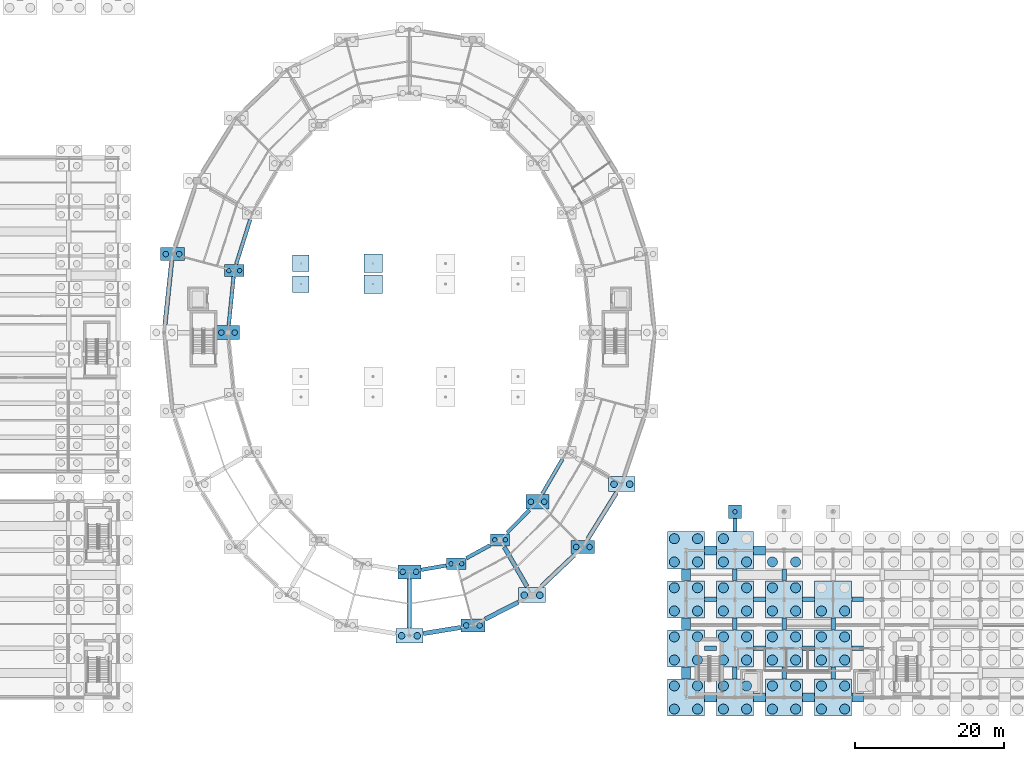
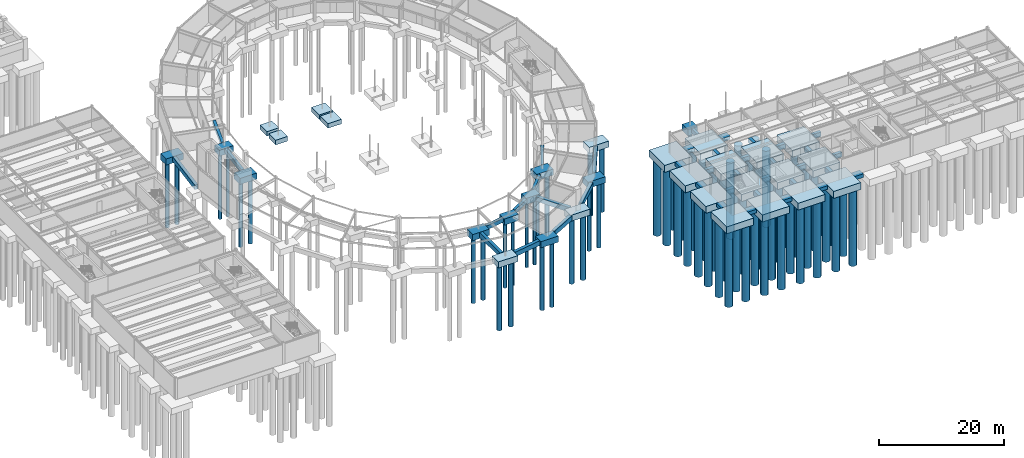
# One storey, part 3 of 58: 80 piles, 70 footings.
"""IFC4 building model written with IfcOpenShell, lengths in metres."""

import ifcopenshell
import ifcopenshell.guid

model = None  # the IFC model being written
_history = None  # IfcOwnerHistory: only IFC2X3 demands one
_inside = {}  # id of a spatial element -> (the spatial element, [elements in it])
_under = {}  # id of a project, library or spatial element -> (it, [spatial elements below it])
_declared = {}  # id of a project -> (the project, [libraries it declares])
_typed = {}  # id of a type object -> (the type object, [elements of that type])
_made_of = {}  # id of a material, layer set ... -> (it, [elements and type objects made of it])


def new_model(schema):
    """Start an empty IFC model of exactly this schema.

    Asked for "IFC4X3", IfcOpenShell would pick the latest addendum, in which some entities
    have other attributes; the version numbers below select the first issue.
    IFC2X3 requires an IfcOwnerHistory on every rooted entity: one is made here for all.
    """
    global model, _history
    if schema == "IFC4X3":
        model = ifcopenshell.file(schema_version=(4, 3, 0, 0))
    else:
        model = ifcopenshell.file(schema=schema)
    _inside.clear()
    _under.clear()
    _declared.clear()
    _typed.clear()
    _made_of.clear()
    _history = None
    if model.schema == "IFC2X3":
        org = make("IfcOrganization", Name="unknown")
        user = make(
            "IfcPersonAndOrganization",
            ThePerson=make("IfcPerson", FamilyName="unknown"),
            TheOrganization=org,
        )
        app = make(
            "IfcApplication",
            ApplicationDeveloper=org,
            Version="unknown",
            ApplicationFullName="unknown",
            ApplicationIdentifier="unknown",
        )
        _history = make(
            "IfcOwnerHistory",
            OwningUser=user,
            OwningApplication=app,
            ChangeAction="ADDED",
            CreationDate=0,
        )
    return model


def make(cls, **values):
    """One entity of the class cls with the attributes given. An attribute that is None is left unset."""
    return model.create_entity(
        cls, **{name: value for name, value in values.items() if value is not None}
    )


def rooted(cls, **values):
    """An entity with a GlobalId (a new one), such as an element, a storey or a relation."""
    return make(cls, GlobalId=ifcopenshell.guid.new(), OwnerHistory=_history, **values)


def si_unit(unit_type, name, prefix=None):
    """IfcSIUnit, for example si_unit("LENGTHUNIT", "METRE", prefix="MILLI")."""
    return make("IfcSIUnit", UnitType=unit_type, Prefix=prefix, Name=name)


def assignment(units):
    """IfcUnitAssignment: the units of a project."""
    return None if units is None else make("IfcUnitAssignment", Units=units)


def point(xyz):
    """IfcCartesianPoint."""
    return None if xyz is None else make("IfcCartesianPoint", Coordinates=xyz)


def direction(xyz):
    """IfcDirection."""
    return None if xyz is None else make("IfcDirection", DirectionRatios=xyz)


def frame(location, z_axis=None, x_axis=None):
    """IfcAxis2Placement3D, a coordinate frame: its origin and axes. An axis left out is left unset."""
    return make(
        "IfcAxis2Placement3D",
        Location=point(location),
        Axis=direction(z_axis),
        RefDirection=direction(x_axis),
    )


def frame_2d(location, x_axis=None):
    """IfcAxis2Placement2D, a coordinate frame in the plane: its origin and x axis."""
    return make(
        "IfcAxis2Placement2D", Location=point(location), RefDirection=direction(x_axis)
    )


def origin():
    """The frame at (0, 0, 0) with its axes left unset."""
    return frame((0.0, 0.0, 0.0))


def origin_2d():
    """The frame at (0, 0) in the plane with its x axis left unset."""
    return frame_2d((0.0, 0.0))


def place(relative_to, where):
    """IfcLocalPlacement: puts the frame where relative to a parent placement (None: the world)."""
    return make(
        "IfcLocalPlacement", PlacementRelTo=relative_to, RelativePlacement=where
    )


def context(
    kind, dimensions, precision=None, world=None, true_north=None, identifier=None
):
    """IfcGeometricRepresentationContext, for example the 3D "Model" context."""
    return make(
        "IfcGeometricRepresentationContext",
        ContextIdentifier=identifier,
        ContextType=kind,
        CoordinateSpaceDimension=dimensions,
        Precision=precision,
        WorldCoordinateSystem=world,
        TrueNorth=true_north,
    )


def subcontext(parent, identifier, kind, view, scale=None):
    """IfcGeometricRepresentationSubContext, for example "Body" below "Model"."""
    return make(
        "IfcGeometricRepresentationSubContext",
        ContextIdentifier=identifier,
        ContextType=kind,
        ParentContext=parent,
        TargetScale=scale,
        TargetView=view,
    )


def project(units=None, contexts=None):
    """IfcProject with its units and contexts."""
    return rooted(
        "IfcProject",
        Name="project",
        RepresentationContexts=contexts,
        UnitsInContext=assignment(units),
    )


def spatial(cls, under=None, at=None, **own):
    """A site, building, storey or space (cls), placed at a placement, below another one or the project."""
    s = rooted(cls, ObjectPlacement=at, **own)
    if under is not None:
        _under.setdefault(under.id(), (under, []))[1].append(s)
    return s


def profile(cls, at=None, kind="AREA", **sizes):
    """A parametric profile (cls). Its sizes go by their IFC names, for example OverallWidth=200.0."""
    return make(cls, ProfileType=kind, Position=at, **sizes)


def rectangle(**sizes):
    """IfcRectangleProfileDef."""
    return profile("IfcRectangleProfileDef", **sizes)


def circle(**sizes):
    """IfcCircleProfileDef."""
    return profile("IfcCircleProfileDef", **sizes)


def extrude(swept, where, along, depth):
    """IfcExtrudedAreaSolid: the profile swept, set in the frame where, extruded along a direction by depth."""
    return make(
        "IfcExtrudedAreaSolid",
        SweptArea=swept,
        Position=where,
        ExtrudedDirection=direction(along),
        Depth=depth,
    )


def shape(context_of_items, identifier, shape_type, items):
    """IfcShapeRepresentation: the items that make up one representation, for example the "Body"."""
    return make(
        "IfcShapeRepresentation",
        ContextOfItems=context_of_items,
        RepresentationIdentifier=identifier,
        RepresentationType=shape_type,
        Items=items,
    )


def material(Name=None, Category=None):
    """IfcMaterial."""
    return make("IfcMaterial", Name=Name, Category=Category)


def material_profile(
    of_material, cross_section, Name=None, Category=None, Priority=None
):
    """IfcMaterialProfile: a cross section and its material."""
    return make(
        "IfcMaterialProfile",
        Name=Name,
        Material=of_material,
        Profile=cross_section,
        Priority=Priority,
        Category=Category,
    )


def profile_set(profiles, Name=None, composite=None):
    """IfcMaterialProfileSet."""
    return make(
        "IfcMaterialProfileSet",
        Name=Name,
        MaterialProfiles=profiles,
        CompositeProfile=composite,
    )


def made_of(thing, what):
    """Note that an element or type object is made of a material, layer set ...; save() writes the relation."""
    if what is not None:
        _made_of.setdefault(what.id(), (what, []))[1].append(thing)
    return thing


def type_object(cls, material=None, **own):
    """A type object (cls), such as IfcWallType, which elements share."""
    return made_of(rooted(cls, **own), material)


def element(
    cls,
    number,
    at=None,
    inside=None,
    cuts=None,
    type_object=None,
    material=None,
    context=None,
    identifier="Body",
    shape_type=None,
    held_by="IfcProductDefinitionShape",
    body=None,
    shapes=None,
    **own,
):
    """One element of the class cls, such as IfcWall. Its Tag is "e" and its number.

    at: its placement. inside: the storey or other place that contains it. cuts: it is an
    opening in that element (IfcRelVoidsElement). A single representation is given by context,
    identifier, shape_type and body (its items); several are given by shapes. held_by: the class
    of the entity that holds the representations. save() writes the other relations.
    """
    e = rooted(cls, Tag="e%d" % number, ObjectPlacement=at, **own)
    if body is not None:
        shapes = [shape(context, identifier, shape_type, body)]
    if shapes is not None:
        e.Representation = make(held_by, Representations=shapes)
    if inside is not None:
        _inside.setdefault(inside.id(), (inside, []))[1].append(e)
    if cuts is not None:
        rooted(
            "IfcRelVoidsElement", RelatingBuildingElement=cuts, RelatedOpeningElement=e
        )
    if type_object is not None:
        _typed.setdefault(type_object.id(), (type_object, []))[1].append(e)
    return made_of(e, material)


def aggregate(whole, parts):
    """IfcRelAggregates: a whole, such as a stair, and the parts it consists of."""
    return rooted("IfcRelAggregates", RelatingObject=whole, RelatedObjects=parts)


def save(model, path):
    """Write the relations noted so far, then the file.

    IfcRelAggregates (storeys below a building ...), IfcRelContainedInSpatialStructure (elements
    in a storey), IfcRelDefinesByType, IfcRelAssociatesMaterial and IfcRelDeclares: one each for
    every whole, place, type object, material and project.
    """
    for whole, parts in _under.values():
        aggregate(whole, parts)
    for where, things in _inside.values():
        rooted(
            "IfcRelContainedInSpatialStructure",
            RelatedElements=things,
            RelatingStructure=where,
        )
    for kind, things in _typed.values():
        rooted("IfcRelDefinesByType", RelatedObjects=things, RelatingType=kind)
    for what, things in _made_of.values():
        rooted("IfcRelAssociatesMaterial", RelatedObjects=things, RelatingMaterial=what)
    for by, libraries in _declared.values():
        rooted("IfcRelDeclares", RelatingContext=by, RelatedDefinitions=libraries)
    model.write(path)


model = new_model("IFC4")

# Units and contexts
model_context = context("Model", 3, precision=1e-05, world=origin(), true_north=direction((0.0, 1.0)))
body_context = subcontext(model_context, "Body", "Model", "MODEL_VIEW")
ifc_project = project(units=[si_unit("LENGTHUNIT", "METRE"), si_unit("AREAUNIT", "SQUARE_METRE"), si_unit("VOLUMEUNIT", "CUBIC_METRE"), si_unit("PLANEANGLEUNIT", "RADIAN"), si_unit("MASSUNIT", "GRAM", prefix="KILO")], contexts=[model_context])

# Site, building, storey
site_placement = place(None, origin())
site = spatial("IfcSite", under=ifc_project, at=site_placement, CompositionType="ELEMENT")
building_placement = place(site_placement, origin())
building = spatial("IfcBuilding", under=site, at=building_placement, Name="Karori Crest Natural Sciences Institute", CompositionType="ELEMENT")
storey_placement = place(building_placement, frame((0.0, 0.0, -4.199951171875)))
storey = spatial("IfcBuildingStorey", under=building, at=storey_placement, Name="B1", CompositionType="ELEMENT", Elevation=-4.199951171875)

# Footings
ifc_material = material(Name="Concrete 40 MPa", Category="concrete")
footing_type_1 = type_object("IfcFootingType", Name="FT-01", PredefinedType="PILE_CAP", material=ifc_material)
footing_1_placement = place(storey_placement, frame((110.199951171875, 25.800048828125, -1.2001953125), z_axis=(0.0, 0.0, 1.0), x_axis=(1.0, 0.0, 0.0)))
element("IfcFooting", 1, at=footing_1_placement, inside=storey, type_object=footing_type_1, Name="Pile cap PC-0192", PredefinedType="PILE_CAP", context=body_context, shape_type="SweptSolid", body=[
    extrude(rectangle(XDim=1.800048828125, YDim=1.800048828125, at=origin_2d()), origin(), (0.0, 0.0, 1.0), 1.199951171875),
])
footing_type_2 = type_object("IfcFootingType", Name="FT-02", PredefinedType="PILE_CAP", material=ifc_material)
for number, where, z_axis, x_axis, name in (
    (2, (42.831298828125, 58.23388671875, -1.2001953125), (0.0, 0.0, 1.0), (1.0, 0.0, 0.0), "Pile cap PC-0024"),
    (3, (72.715087890625, 18.797119140625, -1.2001953125), (0.0, 0.0, 1.0), (1.0, 0.0, 0.0), "Pile cap PC-0040"),
    (4, (78.60009765625, 22.013916015625, -1.2001953125), (0.0, 0.0, 1.0), (1.0, 0.0, 0.0), "Pile cap PC-0042"),
):
    element("IfcFooting", number, at=place(storey_placement, frame(where, z_axis=z_axis, x_axis=x_axis)), inside=storey, type_object=footing_type_2, Name=name, PredefinedType="PILE_CAP", context=body_context, shape_type="SweptSolid", body=[
        extrude(rectangle(XDim=2.60009765625, YDim=1.60009765625, at=origin_2d()), origin(), (0.0, 0.0, 1.0), 1.199951171875),
    ])
footing_type_3 = type_object("IfcFootingType", Name="FT-03", PredefinedType="PILE_CAP", material=ifc_material)
for number, where, z_axis, x_axis, name in (
    (5, (42.0, 49.89990234375, -1.2001953125), (0.0, 0.0, 1.0), (1.0, 0.0, 0.0), "Pile cap PC-0026"),
    (6, (66.39990234375, 17.699951171875, -1.2001953125), (0.0, 0.0, 1.0), (1.0, 0.0, 0.0), "Pile cap PC-0038"),
    (7, (83.6533203125, 27.131103515625, -1.2001953125), (0.0, 0.0, 1.0), (1.0, 0.0, 0.0), "Pile cap PC-0044"),
):
    element("IfcFooting", number, at=place(storey_placement, frame(where, z_axis=z_axis, x_axis=x_axis)), inside=storey, type_object=footing_type_3, Name=name, PredefinedType="PILE_CAP", context=body_context, shape_type="SweptSolid", body=[
        extrude(rectangle(XDim=3.10009765625, YDim=1.89990234375, at=origin_2d()), origin(), (0.0, 0.0, 1.0), 1.199951171875),
    ])
footing_type_4 = type_object("IfcFootingType", Name="FT-07", PredefinedType="PILE_CAP", material=ifc_material)
for number, where, z_axis, x_axis, name in (
    (8, (34.5244140625, 60.459716796875, -1.2001953125), (0.0, 0.0, 1.0), (1.0, 0.0, 0.0), "Pile cap PC-0023"),
    (9, (74.94091796875, 10.490234375, -1.2001953125), (0.0, 0.0, 1.0), (1.0, 0.0, 0.0), "Pile cap PC-0039"),
    (10, (89.734619140625, 21.050048828125, -1.2001953125), (0.0, 0.0, 1.0), (1.0, 0.0, 0.0), "Pile cap PC-0043"),
):
    element("IfcFooting", number, at=place(storey_placement, frame(where, z_axis=z_axis, x_axis=x_axis)), inside=storey, type_object=footing_type_4, Name=name, PredefinedType="PILE_CAP", context=body_context, shape_type="SweptSolid", body=[
        extrude(rectangle(XDim=3.199951171875, YDim=1.800048828125, at=origin_2d()), origin(), (0.0, 0.0, 1.0), 1.199951171875),
    ])
footing_type_5 = type_object("IfcFootingType", Name="FT-08", PredefinedType="PILE_CAP", material=ifc_material)
for number, where, z_axis, x_axis, name in (
    (11, (66.39990234375, 9.10009765625, -1.2001953125), (0.0, 0.0, 1.0), (1.0, 0.0, 0.0), "Pile cap PC-0037"),
    (12, (82.89990234375, 14.566162109375, -1.2001953125), (0.0, 0.0, 1.0), (1.0, 0.0, 0.0), "Pile cap PC-0041"),
    (13, (94.978759765625, 29.5, -1.2001953125), (0.0, 0.0, 1.0), (1.0, 0.0, 0.0), "Pile cap PC-0045"),
):
    element("IfcFooting", number, at=place(storey_placement, frame(where, z_axis=z_axis, x_axis=x_axis)), inside=storey, type_object=footing_type_5, Name=name, PredefinedType="PILE_CAP", context=body_context, shape_type="SweptSolid", body=[
        extrude(rectangle(XDim=3.60009765625, YDim=2.0, at=origin_2d()), origin(), (0.0, 0.0, 1.0), 1.199951171875),
    ])
footing_type_6 = type_object("IfcFootingType", Name="FT-12", PredefinedType="PILE_CAP", material=ifc_material)
for number, where, z_axis, x_axis, name in (
    (14, (103.60009765625, 0.800048828125, -1.35009765625), (0.0, 0.0, 1.0), (1.0, 0.0, 0.0), "Pile cap PC-0156"),
    (15, (103.60009765625, 7.39990234375, -1.35009765625), (0.0, 0.0, 1.0), (1.0, 0.0, 0.0), "Pile cap PC-0157"),
    (16, (103.60009765625, 14.0, -1.35009765625), (0.0, 0.0, 1.0), (1.0, 0.0, 0.0), "Pile cap PC-0158"),
    (17, (103.60009765625, 20.60009765625, -1.35009765625), (0.0, 0.0, 1.0), (1.0, 0.0, 0.0), "Pile cap PC-0159"),
    (18, (110.199951171875, 0.800048828125, -1.35009765625), (0.0, 0.0, 1.0), (1.0, 0.0, 0.0), "Pile cap PC-0160"),
    (19, (110.199951171875, 7.39990234375, -1.35009765625), (0.0, 0.0, 1.0), (1.0, 0.0, 0.0), "Pile cap PC-0161"),
    (20, (110.199951171875, 14.0, -1.35009765625), (0.0, 0.0, 1.0), (1.0, 0.0, 0.0), "Pile cap PC-0162"),
    (21, (110.199951171875, 20.60009765625, -1.35009765625), (0.0, 0.0, 1.0), (1.0, 0.0, 0.0), "Pile cap PC-0163"),
    (22, (116.800048828125, 0.800048828125, -1.35009765625), (0.0, 0.0, 1.0), (1.0, 0.0, 0.0), "Pile cap PC-0164"),
    (23, (116.800048828125, 7.39990234375, -1.35009765625), (0.0, 0.0, 1.0), (1.0, 0.0, 0.0), "Pile cap PC-0165"),
    (24, (116.800048828125, 14.0, -1.35009765625), (0.0, 0.0, 1.0), (1.0, 0.0, 0.0), "Pile cap PC-0166"),
    (25, (123.39990234375, 0.800048828125, -1.35009765625), (0.0, 0.0, 1.0), (1.0, 0.0, 0.0), "Pile cap PC-0168"),
    (26, (123.39990234375, 7.39990234375, -1.35009765625), (0.0, 0.0, 1.0), (1.0, 0.0, 0.0), "Pile cap PC-0169"),
    (27, (123.39990234375, 14.0, -1.35009765625), (0.0, 0.0, 1.0), (1.0, 0.0, 0.0), "Pile cap PC-0170"),
):
    element("IfcFooting", number, at=place(storey_placement, frame(where, z_axis=z_axis, x_axis=x_axis)), inside=storey, type_object=footing_type_6, Name=name, PredefinedType="PILE_CAP", context=body_context, shape_type="SweptSolid", body=[
        extrude(rectangle(XDim=5.0, YDim=5.0, at=origin_2d()), origin(), (0.0, 0.0, 1.0), 1.35009765625),
    ])
footing_type_7 = type_object("IfcFootingType", Name="FT-13", PredefinedType="PAD_FOOTING", material=ifc_material)
for number, where, z_axis, x_axis, name in (
    (28, (51.7900390625, 56.39990234375, -0.89990234375), (0.0, 0.0, 1.0), (1.0, 0.0, 0.0), "Pad footing PC-0057"),
    (29, (51.7900390625, 59.199951171875, -0.89990234375), (0.0, 0.0, 1.0), (1.0, 0.0, 0.0), "Pad footing PC-0058"),
):
    element("IfcFooting", number, at=place(storey_placement, frame(where, z_axis=z_axis, x_axis=x_axis)), inside=storey, type_object=footing_type_7, Name=name, PredefinedType="PAD_FOOTING", context=body_context, shape_type="SweptSolid", body=[
        extrude(rectangle(XDim=2.199951171875, YDim=2.199951171875, at=origin_2d()), origin(), (0.0, 0.0, 1.0), 0.89990234375),
    ])
footing_type_8 = type_object("IfcFootingType", Name="FT-14", PredefinedType="PAD_FOOTING", material=ifc_material)
for number, where, z_axis, x_axis, name in (
    (30, (61.530029296875, 56.39990234375, -0.89990234375), (0.0, 0.0, 1.0), (1.0, 0.0, 0.0), "Pad footing PC-0059"),
    (31, (61.530029296875, 59.199951171875, -0.89990234375), (0.0, 0.0, 1.0), (1.0, 0.0, 0.0), "Pad footing PC-0060"),
):
    element("IfcFooting", number, at=place(storey_placement, frame(where, z_axis=z_axis, x_axis=x_axis)), inside=storey, type_object=footing_type_8, Name=name, PredefinedType="PAD_FOOTING", context=body_context, shape_type="SweptSolid", body=[
        extrude(rectangle(XDim=2.5, YDim=2.5, at=origin_2d()), origin(), (0.0, 0.0, 1.0), 0.89990234375),
    ])
footing_type_9 = type_object("IfcFootingType", Name="FT-16", PredefinedType="FOOTING_BEAM", material=ifc_material)
footing_2_placement = place(storey_placement, frame((33.967529296875, 55.22998046875, -0.89990234375), z_axis=(0.0, 0.0, 1.0), x_axis=(0.105880529632, 0.994378858104, 0.0)))
element("IfcFooting", 32, at=footing_2_placement, inside=storey, type_object=footing_type_9, Name="Ground beam FB-0029", PredefinedType="FOOTING_BEAM", context=body_context, shape_type="SweptSolid", body=[
    extrude(rectangle(XDim=8.61279296875, YDim=0.60009765625, at=origin_2d()), origin(), (0.0, 0.0, 1.0), 0.89990234375),
])
footing_3_placement = place(storey_placement, frame((70.7705078125, 9.811279296875, -0.89990234375), z_axis=(0.0, 0.0, 1.0), x_axis=(0.987010951028, 0.160652987993, 0.0)))
element("IfcFooting", 33, at=footing_3_placement, inside=storey, type_object=footing_type_9, Name="Ground beam FB-0046", PredefinedType="FOOTING_BEAM", context=body_context, shape_type="SweptSolid", body=[
    extrude(rectangle(XDim=5.09228515625, YDim=0.60009765625, at=origin_2d()), origin(), (0.0, 0.0, 1.0), 0.89990234375),
])
footing_4_placement = place(storey_placement, frame((66.39990234375, 13.425048828125, -0.89990234375), z_axis=(0.0, 0.0, 1.0), x_axis=(0.0, 1.0, 0.0)))
element("IfcFooting", 34, at=footing_4_placement, inside=storey, type_object=footing_type_9, Name="Ground beam FB-0048", PredefinedType="FOOTING_BEAM", context=body_context, shape_type="SweptSolid", body=[
    extrude(rectangle(XDim=6.614013671875, YDim=0.60009765625, at=origin_2d()), origin(), (0.0, 0.0, 1.0), 0.89990234375),
])
footing_5_placement = place(storey_placement, frame((78.820556640625, 12.47705078125, -0.89990234375), z_axis=(0.0, 0.0, 1.0), x_axis=(0.890068851465, 0.455826106813, 0.0)))
element("IfcFooting", 35, at=footing_5_placement, inside=storey, type_object=footing_type_9, Name="Ground beam FB-0049", PredefinedType="FOOTING_BEAM", context=body_context, shape_type="SweptSolid", body=[
    extrude(rectangle(XDim=5.024169921875, YDim=0.60009765625, at=origin_2d()), origin(), (0.0, 0.0, 1.0), 0.89990234375),
])
footing_6_placement = place(storey_placement, frame((86.3701171875, 17.858154296875, -0.89990234375), z_axis=(0.0, 0.0, 1.0), x_axis=(0.725475281268, 0.688248222859, 0.0)))
element("IfcFooting", 36, at=footing_6_placement, inside=storey, type_object=footing_type_9, Name="Ground beam FB-0051", PredefinedType="FOOTING_BEAM", context=body_context, shape_type="SweptSolid", body=[
    extrude(rectangle(XDim=5.996826171875, YDim=0.60009765625, at=origin_2d()), origin(), (0.0, 0.0, 1.0), 0.89990234375),
])
footing_7_placement = place(storey_placement, frame((80.6923828125, 18.39013671875, -0.89990234375), z_axis=(0.0, 0.0, 1.0), x_axis=(-0.500001511499, 0.866024531118, 0.0)))
element("IfcFooting", 37, at=footing_7_placement, inside=storey, type_object=footing_type_9, Name="Ground beam FB-0053", PredefinedType="FOOTING_BEAM", context=body_context, shape_type="SweptSolid", body=[
    extrude(rectangle(XDim=6.14306640625, YDim=0.60009765625, at=origin_2d()), origin(), (0.0, 0.0, 1.0), 0.89990234375),
])
footing_8_placement = place(storey_placement, frame((92.32568359375, 25.22509765625, -0.89990234375), z_axis=(0.0, 0.0, 1.0), x_axis=(0.527325098025, 0.849663604606, 0.0)))
element("IfcFooting", 38, at=footing_8_placement, inside=storey, type_object=footing_type_9, Name="Ground beam FB-0054", PredefinedType="FOOTING_BEAM", context=body_context, shape_type="SweptSolid", body=[
    extrude(rectangle(XDim=7.31005859375, YDim=0.60009765625, at=origin_2d()), origin(), (0.0, 0.0, 1.0), 0.89990234375),
])
for number, where, z_axis, x_axis, name in (
    (39, (106.89990234375, 7.39990234375, -0.89990234375), (0.0, 0.0, 1.0), (1.0, 0.0, 0.0), "Ground beam FB-0180"),
    (40, (106.89990234375, 14.0, -0.89990234375), (0.0, 0.0, 1.0), (1.0, 0.0, 0.0), "Ground beam FB-0181"),
):
    element("IfcFooting", number, at=place(storey_placement, frame(where, z_axis=z_axis, x_axis=x_axis)), inside=storey, type_object=footing_type_9, Name=name, PredefinedType="FOOTING_BEAM", context=body_context, shape_type="SweptSolid", body=[
        extrude(rectangle(XDim=1.56396484375, YDim=0.60009765625, at=origin_2d()), origin(), (0.0, 0.0, 1.0), 0.89990234375),
    ])
footing_9_placement = place(storey_placement, frame((110.199951171875, 4.10009765625, -0.89990234375), z_axis=(0.0, 0.0, 1.0), x_axis=(0.0, 1.0, 0.0)))
element("IfcFooting", 41, at=footing_9_placement, inside=storey, type_object=footing_type_9, Name="Ground beam FB-0182", PredefinedType="FOOTING_BEAM", context=body_context, shape_type="SweptSolid", body=[
    extrude(rectangle(XDim=1.583984375, YDim=0.60009765625, at=origin_2d()), origin(), (0.0, 0.0, 1.0), 0.89990234375),
])
for number, where, z_axis, x_axis, name in (
    (42, (113.5, 7.39990234375, -0.89990234375), (0.0, 0.0, 1.0), (1.0, 0.0, 0.0), "Ground beam FB-0183"),
    (43, (110.199951171875, 10.699951171875, -0.89990234375), (0.0, 0.0, 1.0), (0.0, 1.0, 0.0), "Ground beam FB-0184"),
    (44, (113.5, 14.0, -0.89990234375), (0.0, 0.0, 1.0), (1.0, 0.0, 0.0), "Ground beam FB-0185"),
    (45, (110.199951171875, 17.300048828125, -0.89990234375), (0.0, 0.0, 1.0), (0.0, 1.0, 0.0), "Ground beam FB-0186"),
):
    element("IfcFooting", number, at=place(storey_placement, frame(where, z_axis=z_axis, x_axis=x_axis)), inside=storey, type_object=footing_type_9, Name=name, PredefinedType="FOOTING_BEAM", context=body_context, shape_type="SweptSolid", body=[
        extrude(rectangle(XDim=1.56396484375, YDim=0.60009765625, at=origin_2d()), origin(), (0.0, 0.0, 1.0), 0.89990234375),
    ])
footing_10_placement = place(storey_placement, frame((116.800048828125, 4.10009765625, -0.89990234375), z_axis=(0.0, 0.0, 1.0), x_axis=(0.0, 1.0, 0.0)))
element("IfcFooting", 46, at=footing_10_placement, inside=storey, type_object=footing_type_9, Name="Ground beam FB-0187", PredefinedType="FOOTING_BEAM", context=body_context, shape_type="SweptSolid", body=[
    extrude(rectangle(XDim=1.583984375, YDim=0.60009765625, at=origin_2d()), origin(), (0.0, 0.0, 1.0), 0.89990234375),
])
for number, where, z_axis, x_axis, name in (
    (47, (120.10009765625, 7.39990234375, -0.89990234375), (0.0, 0.0, 1.0), (1.0, 0.0, 0.0), "Ground beam FB-0188"),
    (48, (116.800048828125, 10.699951171875, -0.89990234375), (0.0, 0.0, 1.0), (0.0, 1.0, 0.0), "Ground beam FB-0189"),
    (49, (120.10009765625, 14.0, -0.89990234375), (0.0, 0.0, 1.0), (1.0, 0.0, 0.0), "Ground beam FB-0190"),
    (50, (116.800048828125, 17.300048828125, -0.89990234375), (0.0, 0.0, 1.0), (0.0, 1.0, 0.0), "Ground beam FB-0191"),
):
    element("IfcFooting", number, at=place(storey_placement, frame(where, z_axis=z_axis, x_axis=x_axis)), inside=storey, type_object=footing_type_9, Name=name, PredefinedType="FOOTING_BEAM", context=body_context, shape_type="SweptSolid", body=[
        extrude(rectangle(XDim=1.56396484375, YDim=0.60009765625, at=origin_2d()), origin(), (0.0, 0.0, 1.0), 0.89990234375),
    ])
footing_11_placement = place(storey_placement, frame((123.39990234375, 4.10009765625, -0.89990234375), z_axis=(0.0, 0.0, 1.0), x_axis=(0.0, 1.0, 0.0)))
element("IfcFooting", 51, at=footing_11_placement, inside=storey, type_object=footing_type_9, Name="Ground beam FB-0192", PredefinedType="FOOTING_BEAM", context=body_context, shape_type="SweptSolid", body=[
    extrude(rectangle(XDim=1.583984375, YDim=0.60009765625, at=origin_2d()), origin(), (0.0, 0.0, 1.0), 0.89990234375),
])
for number, where, z_axis, x_axis, name in (
    (52, (126.699951171875, 7.39990234375, -0.89990234375), (0.0, 0.0, 1.0), (1.0, 0.0, 0.0), "Ground beam FB-0193"),
    (53, (123.39990234375, 10.699951171875, -0.89990234375), (0.0, 0.0, 1.0), (0.0, 1.0, 0.0), "Ground beam FB-0194"),
    (54, (126.699951171875, 14.0, -0.89990234375), (0.0, 0.0, 1.0), (1.0, 0.0, 0.0), "Ground beam FB-0195"),
):
    element("IfcFooting", number, at=place(storey_placement, frame(where, z_axis=z_axis, x_axis=x_axis)), inside=storey, type_object=footing_type_9, Name=name, PredefinedType="FOOTING_BEAM", context=body_context, shape_type="SweptSolid", body=[
        extrude(rectangle(XDim=1.56396484375, YDim=0.60009765625, at=origin_2d()), origin(), (0.0, 0.0, 1.0), 0.89990234375),
    ])
footing_type_10 = type_object("IfcFootingType", Name="FT-17", PredefinedType="FOOTING_BEAM", material=ifc_material)
footing_12_placement = place(storey_placement, frame((44.05029296875, 62.116943359375, -0.80029296875), z_axis=(0.0, 0.0, 1.0), x_axis=(0.299475447203, 0.954104007183, 0.0)))
element("IfcFooting", 55, at=footing_12_placement, inside=storey, type_object=footing_type_10, Name="Ground beam FB-0027", PredefinedType="FOOTING_BEAM", context=body_context, shape_type="SweptSolid", body=[
    extrude(rectangle(XDim=6.285888671875, YDim=0.5, at=origin_2d()), origin(), (0.0, 0.0, 1.0), 0.800048828125),
])
footing_13_placement = place(storey_placement, frame((42.423095703125, 54.14208984375, -0.80029296875), z_axis=(0.0, 0.0, 1.0), x_axis=(0.09926764862, 0.995060768967, 0.0)))
element("IfcFooting", 56, at=footing_13_placement, inside=storey, type_object=footing_type_10, Name="Ground beam FB-0030", PredefinedType="FOOTING_BEAM", context=body_context, shape_type="SweptSolid", body=[
    extrude(rectangle(XDim=6.54052734375, YDim=0.5, at=origin_2d()), origin(), (0.0, 0.0, 1.0), 0.800048828125),
])
footing_14_placement = place(storey_placement, frame((69.6826171875, 18.270263671875, -0.80029296875), z_axis=(0.0, 0.0, 1.0), x_axis=(0.985240470223, 0.171175979142, 0.0)))
element("IfcFooting", 57, at=footing_14_placement, inside=storey, type_object=footing_type_10, Name="Ground beam FB-0047", PredefinedType="FOOTING_BEAM", context=body_context, shape_type="SweptSolid", body=[
    extrude(rectangle(XDim=3.40087890625, YDim=0.5, at=origin_2d()), origin(), (0.0, 0.0, 1.0), 0.800048828125),
])
footing_15_placement = place(storey_placement, frame((75.65771484375, 20.405517578125, -0.80029296875), z_axis=(0.0, 0.0, 1.0), x_axis=(0.877461955643, 0.479646240889, 0.0)))
element("IfcFooting", 58, at=footing_15_placement, inside=storey, type_object=footing_type_10, Name="Ground beam FB-0050", PredefinedType="FOOTING_BEAM", context=body_context, shape_type="SweptSolid", body=[
    extrude(rectangle(XDim=3.625244140625, YDim=0.5, at=origin_2d()), origin(), (0.0, 0.0, 1.0), 0.800048828125),
])
footing_16_placement = place(storey_placement, frame((81.052490234375, 24.49755859375, -0.80029296875), z_axis=(0.0, 0.0, 1.0), x_axis=(0.702657420945, 0.711528319037, 0.0)))
element("IfcFooting", 59, at=footing_16_placement, inside=storey, type_object=footing_type_10, Name="Ground beam FB-0052", PredefinedType="FOOTING_BEAM", context=body_context, shape_type="SweptSolid", body=[
    extrude(rectangle(XDim=4.2099609375, YDim=0.5, at=origin_2d()), origin(), (0.0, 0.0, 1.0), 0.800048828125),
])
footing_17_placement = place(storey_placement, frame((85.6357421875, 30.54052734375, -0.80029296875), z_axis=(0.0, 0.0, 1.0), x_axis=(0.502657875929, 0.864485430627, 0.0)))
element("IfcFooting", 60, at=footing_17_placement, inside=storey, type_object=footing_type_10, Name="Ground beam FB-0055", PredefinedType="FOOTING_BEAM", context=body_context, shape_type="SweptSolid", body=[
    extrude(rectangle(XDim=5.371337890625, YDim=0.5, at=origin_2d()), origin(), (0.0, 0.0, 1.0), 0.800048828125),
])
footing_18_placement = place(storey_placement, frame((110.199951171875, 24.0, -0.80029296875), z_axis=(0.0, 0.0, 1.0), x_axis=(0.0, 1.0, 0.0)))
element("IfcFooting", 61, at=footing_18_placement, inside=storey, type_object=footing_type_10, Name="Ground beam FB-0222", PredefinedType="FOOTING_BEAM", context=body_context, shape_type="SweptSolid", body=[
    extrude(rectangle(XDim=1.763916015625, YDim=0.5, at=origin_2d()), origin(), (0.0, 0.0, 1.0), 0.800048828125),
])
footing_type_11 = type_object("IfcFootingType", Name="FT-19", PredefinedType="STRIP_FOOTING", material=ifc_material)
for number, where, z_axis, x_axis, name in (
    (62, (106.89990234375, 0.800048828125, -0.7001953125), (0.0, 0.0, 1.0), (1.0, 0.0, 0.0), "Strip footing SF-0001"),
    (63, (113.5, 0.800048828125, -0.7001953125), (0.0, 0.0, 1.0), (1.0, 0.0, 0.0), "Strip footing SF-0002"),
    (64, (120.10009765625, 0.800048828125, -0.7001953125), (0.0, 0.0, 1.0), (1.0, 0.0, 0.0), "Strip footing SF-0003"),
    (65, (126.699951171875, 0.800048828125, -0.7001953125), (0.0, 0.0, 1.0), (1.0, 0.0, 0.0), "Strip footing SF-0004"),
    (66, (106.89990234375, 20.60009765625, -0.7001953125), (0.0, 0.0, 1.0), (1.0, 0.0, 0.0), "Strip footing SF-0008"),
    (67, (113.5, 20.60009765625, -0.7001953125), (0.0, 0.0, 1.0), (1.0, 0.0, 0.0), "Strip footing SF-0009"),
):
    element("IfcFooting", number, at=place(storey_placement, frame(where, z_axis=z_axis, x_axis=x_axis)), inside=storey, type_object=footing_type_11, Name=name, PredefinedType="STRIP_FOOTING", context=body_context, shape_type="SweptSolid", body=[
        extrude(rectangle(XDim=1.56396484375, YDim=1.199951171875, at=origin_2d()), origin(), (0.0, 0.0, 1.0), 0.699951171875),
    ])
footing_19_placement = place(storey_placement, frame((103.60009765625, 4.10009765625, -0.7001953125), z_axis=(0.0, 0.0, 1.0), x_axis=(0.0, 1.0, 0.0)))
element("IfcFooting", 68, at=footing_19_placement, inside=storey, type_object=footing_type_11, Name="Strip footing SF-0015", PredefinedType="STRIP_FOOTING", context=body_context, shape_type="SweptSolid", body=[
    extrude(rectangle(XDim=1.583984375, YDim=1.199951171875, at=origin_2d()), origin(), (0.0, 0.0, 1.0), 0.699951171875),
])
for number, where, z_axis, x_axis, name in (
    (69, (103.60009765625, 10.699951171875, -0.7001953125), (0.0, 0.0, 1.0), (0.0, 1.0, 0.0), "Strip footing SF-0016"),
    (70, (103.60009765625, 17.300048828125, -0.7001953125), (0.0, 0.0, 1.0), (0.0, 1.0, 0.0), "Strip footing SF-0017"),
):
    element("IfcFooting", number, at=place(storey_placement, frame(where, z_axis=z_axis, x_axis=x_axis)), inside=storey, type_object=footing_type_11, Name=name, PredefinedType="STRIP_FOOTING", context=body_context, shape_type="SweptSolid", body=[
        extrude(rectangle(XDim=1.56396484375, YDim=1.199951171875, at=origin_2d()), origin(), (0.0, 0.0, 1.0), 0.699951171875),
    ])

# Piles
ifc_material_profile_1 = material_profile(ifc_material, circle(Radius=0.300048828125, at=origin_2d()), Name="PILE600")
ifc_profile_set_1 = profile_set([ifc_material_profile_1], Name="Concrete 40 MPa")
pile_type_1 = type_object("IfcPileType", Name="PT-01", PredefinedType="BORED", material=ifc_profile_set_1)
for number, where, z_axis, x_axis, name in (
    (71, (42.111328125, 58.23388671875, -1.10009765625), (0.0, 0.0, -1.0), (1.0, 0.0, 0.0), "Bored pile PL-0047"),
    (72, (43.551513671875, 58.23388671875, -1.10009765625), (0.0, 0.0, -1.0), (1.0, 0.0, 0.0), "Bored pile PL-0048"),
    (73, (71.9951171875, 18.797119140625, -1.10009765625), (0.0, 0.0, -1.0), (1.0, 0.0, 0.0), "Bored pile PL-0079"),
    (74, (73.435302734375, 18.797119140625, -1.10009765625), (0.0, 0.0, -1.0), (1.0, 0.0, 0.0), "Bored pile PL-0080"),
    (75, (77.8798828125, 22.013916015625, -1.10009765625), (0.0, 0.0, -1.0), (1.0, 0.0, 0.0), "Bored pile PL-0083"),
    (76, (79.320068359375, 22.013916015625, -1.10009765625), (0.0, 0.0, -1.0), (1.0, 0.0, 0.0), "Bored pile PL-0084"),
    (77, (110.199951171875, 25.800048828125, -1.10009765625), (0.0, 0.0, -1.0), (1.0, 0.0, 0.0), "Bored pile PL-0621"),
):
    element("IfcPile", number, at=place(storey_placement, frame(where, z_axis=z_axis, x_axis=x_axis)), inside=storey, type_object=pile_type_1, Name=name, PredefinedType="BORED", context=body_context, shape_type="SweptSolid", body=[
        extrude(circle(Radius=0.300048828125, at=origin_2d()), origin(), (0.0, 0.0, 1.0), 12.89990234375),
    ])
ifc_material_profile_2 = material_profile(ifc_material, circle(Radius=0.375, at=origin_2d()), Name="PILE750")
ifc_profile_set_2 = profile_set([ifc_material_profile_2], Name="Concrete 40 MPa")
pile_type_2 = type_object("IfcPileType", Name="PT-02", PredefinedType="BORED", material=ifc_profile_set_2)
for number, where, z_axis, x_axis, name in (
    (78, (33.62451171875, 60.459716796875, -1.10009765625), (0.0, 0.0, -1.0), (1.0, 0.0, 0.0), "Bored pile PL-0045"),
    (79, (35.42431640625, 60.459716796875, -1.10009765625), (0.0, 0.0, -1.0), (1.0, 0.0, 0.0), "Bored pile PL-0046"),
    (80, (41.10009765625, 49.89990234375, -1.10009765625), (0.0, 0.0, -1.0), (1.0, 0.0, 0.0), "Bored pile PL-0051"),
    (81, (42.89990234375, 49.89990234375, -1.10009765625), (0.0, 0.0, -1.0), (1.0, 0.0, 0.0), "Bored pile PL-0052"),
    (82, (65.5, 17.699951171875, -1.10009765625), (0.0, 0.0, -1.0), (1.0, 0.0, 0.0), "Bored pile PL-0075"),
    (83, (67.300048828125, 17.699951171875, -1.10009765625), (0.0, 0.0, -1.0), (1.0, 0.0, 0.0), "Bored pile PL-0076"),
    (84, (74.041015625, 10.490234375, -1.10009765625), (0.0, 0.0, -1.0), (1.0, 0.0, 0.0), "Bored pile PL-0077"),
    (85, (75.841064453125, 10.490234375, -1.10009765625), (0.0, 0.0, -1.0), (1.0, 0.0, 0.0), "Bored pile PL-0078"),
    (86, (88.83447265625, 21.050048828125, -1.10009765625), (0.0, 0.0, -1.0), (1.0, 0.0, 0.0), "Bored pile PL-0085"),
    (87, (90.634521484375, 21.050048828125, -1.10009765625), (0.0, 0.0, -1.0), (1.0, 0.0, 0.0), "Bored pile PL-0086"),
    (88, (82.75341796875, 27.131103515625, -1.10009765625), (0.0, 0.0, -1.0), (1.0, 0.0, 0.0), "Bored pile PL-0087"),
    (89, (84.553466796875, 27.131103515625, -1.10009765625), (0.0, 0.0, -1.0), (1.0, 0.0, 0.0), "Bored pile PL-0088"),
):
    element("IfcPile", number, at=place(storey_placement, frame(where, z_axis=z_axis, x_axis=x_axis)), inside=storey, type_object=pile_type_2, Name=name, PredefinedType="BORED", context=body_context, shape_type="SweptSolid", body=[
        extrude(circle(Radius=0.375, at=origin_2d()), origin(), (0.0, 0.0, 1.0), 12.89990234375),
    ])
ifc_material_profile_3 = material_profile(ifc_material, circle(Radius=0.449951171875, at=origin_2d()), Name="PILE900")
ifc_profile_set_3 = profile_set([ifc_material_profile_3], Name="Concrete 40 MPa")
pile_type_3 = type_object("IfcPileType", Name="PT-03", PredefinedType="BORED", material=ifc_profile_set_3)
for number, where, z_axis, x_axis, name in (
    (90, (65.35009765625, 9.10009765625, -1.10009765625), (0.0, 0.0, -1.0), (1.0, 0.0, 0.0), "Bored pile PL-0073"),
    (91, (67.449951171875, 9.10009765625, -1.10009765625), (0.0, 0.0, -1.0), (1.0, 0.0, 0.0), "Bored pile PL-0074"),
    (92, (81.85009765625, 14.566162109375, -1.10009765625), (0.0, 0.0, -1.0), (1.0, 0.0, 0.0), "Bored pile PL-0081"),
    (93, (83.949951171875, 14.566162109375, -1.10009765625), (0.0, 0.0, -1.0), (1.0, 0.0, 0.0), "Bored pile PL-0082"),
    (94, (93.9287109375, 29.5, -1.10009765625), (0.0, 0.0, -1.0), (1.0, 0.0, 0.0), "Bored pile PL-0089"),
    (95, (96.02880859375, 29.5, -1.10009765625), (0.0, 0.0, -1.0), (1.0, 0.0, 0.0), "Bored pile PL-0090"),
):
    element("IfcPile", number, at=place(storey_placement, frame(where, z_axis=z_axis, x_axis=x_axis)), inside=storey, type_object=pile_type_3, Name=name, PredefinedType="BORED", context=body_context, shape_type="SweptSolid", body=[
        extrude(circle(Radius=0.449951171875, at=origin_2d()), origin(), (0.0, 0.0, 1.0), 12.89990234375),
    ])
ifc_material_profile_4 = material_profile(ifc_material, circle(Radius=0.675048828125, at=origin_2d()), Name="PILE1350")
ifc_profile_set_4 = profile_set([ifc_material_profile_4], Name="Concrete 40 MPa")
pile_type_4 = type_object("IfcPileType", Name="PT-06", PredefinedType="BORED", material=ifc_profile_set_4)
for number, where, z_axis, x_axis, name in (
    (96, (102.0400390625, -0.760009765625, -1.25), (0.0, 0.0, -1.0), (1.0, 0.0, 0.0), "Bored pile PL-0461"),
    (97, (105.159912109375, -0.760009765625, -1.25), (0.0, 0.0, -1.0), (1.0, 0.0, 0.0), "Bored pile PL-0462"),
    (98, (102.0400390625, 2.360107421875, -1.25), (0.0, 0.0, -1.0), (1.0, 0.0, 0.0), "Bored pile PL-0463"),
    (99, (105.159912109375, 2.360107421875, -1.25), (0.0, 0.0, -1.0), (1.0, 0.0, 0.0), "Bored pile PL-0464"),
    (100, (102.0400390625, 5.840087890625, -1.25), (0.0, 0.0, -1.0), (1.0, 0.0, 0.0), "Bored pile PL-0465"),
    (101, (105.159912109375, 5.840087890625, -1.25), (0.0, 0.0, -1.0), (1.0, 0.0, 0.0), "Bored pile PL-0466"),
    (102, (102.0400390625, 8.9599609375, -1.25), (0.0, 0.0, -1.0), (1.0, 0.0, 0.0), "Bored pile PL-0467"),
    (103, (105.159912109375, 8.9599609375, -1.25), (0.0, 0.0, -1.0), (1.0, 0.0, 0.0), "Bored pile PL-0468"),
    (104, (102.0400390625, 12.43994140625, -1.25), (0.0, 0.0, -1.0), (1.0, 0.0, 0.0), "Bored pile PL-0469"),
    (105, (105.159912109375, 12.43994140625, -1.25), (0.0, 0.0, -1.0), (1.0, 0.0, 0.0), "Bored pile PL-0470"),
    (106, (102.0400390625, 15.56005859375, -1.25), (0.0, 0.0, -1.0), (1.0, 0.0, 0.0), "Bored pile PL-0471"),
    (107, (105.159912109375, 15.56005859375, -1.25), (0.0, 0.0, -1.0), (1.0, 0.0, 0.0), "Bored pile PL-0472"),
    (108, (102.0400390625, 19.0400390625, -1.25), (0.0, 0.0, -1.0), (1.0, 0.0, 0.0), "Bored pile PL-0473"),
    (109, (105.159912109375, 19.0400390625, -1.25), (0.0, 0.0, -1.0), (1.0, 0.0, 0.0), "Bored pile PL-0474"),
    (110, (102.0400390625, 22.159912109375, -1.25), (0.0, 0.0, -1.0), (1.0, 0.0, 0.0), "Bored pile PL-0475"),
    (111, (105.159912109375, 22.159912109375, -1.25), (0.0, 0.0, -1.0), (1.0, 0.0, 0.0), "Bored pile PL-0476"),
    (112, (108.639892578125, -0.760009765625, -1.25), (0.0, 0.0, -1.0), (1.0, 0.0, 0.0), "Bored pile PL-0477"),
    (113, (111.760009765625, -0.760009765625, -1.25), (0.0, 0.0, -1.0), (1.0, 0.0, 0.0), "Bored pile PL-0478"),
    (114, (108.639892578125, 2.360107421875, -1.25), (0.0, 0.0, -1.0), (1.0, 0.0, 0.0), "Bored pile PL-0479"),
    (115, (111.760009765625, 2.360107421875, -1.25), (0.0, 0.0, -1.0), (1.0, 0.0, 0.0), "Bored pile PL-0480"),
    (116, (108.639892578125, 5.840087890625, -1.25), (0.0, 0.0, -1.0), (1.0, 0.0, 0.0), "Bored pile PL-0481"),
    (117, (111.760009765625, 5.840087890625, -1.25), (0.0, 0.0, -1.0), (1.0, 0.0, 0.0), "Bored pile PL-0482"),
    (118, (108.639892578125, 8.9599609375, -1.25), (0.0, 0.0, -1.0), (1.0, 0.0, 0.0), "Bored pile PL-0483"),
    (119, (111.760009765625, 8.9599609375, -1.25), (0.0, 0.0, -1.0), (1.0, 0.0, 0.0), "Bored pile PL-0484"),
    (120, (108.639892578125, 12.43994140625, -1.25), (0.0, 0.0, -1.0), (1.0, 0.0, 0.0), "Bored pile PL-0485"),
    (121, (111.760009765625, 12.43994140625, -1.25), (0.0, 0.0, -1.0), (1.0, 0.0, 0.0), "Bored pile PL-0486"),
    (122, (108.639892578125, 15.56005859375, -1.25), (0.0, 0.0, -1.0), (1.0, 0.0, 0.0), "Bored pile PL-0487"),
    (123, (111.760009765625, 15.56005859375, -1.25), (0.0, 0.0, -1.0), (1.0, 0.0, 0.0), "Bored pile PL-0488"),
    (124, (108.639892578125, 19.0400390625, -1.25), (0.0, 0.0, -1.0), (1.0, 0.0, 0.0), "Bored pile PL-0489"),
    (125, (111.760009765625, 19.0400390625, -1.25), (0.0, 0.0, -1.0), (1.0, 0.0, 0.0), "Bored pile PL-0490"),
    (126, (108.639892578125, 22.159912109375, -1.25), (0.0, 0.0, -1.0), (1.0, 0.0, 0.0), "Bored pile PL-0491"),
    (127, (115.239990234375, -0.760009765625, -1.25), (0.0, 0.0, -1.0), (1.0, 0.0, 0.0), "Bored pile PL-0493"),
    (128, (118.360107421875, -0.760009765625, -1.25), (0.0, 0.0, -1.0), (1.0, 0.0, 0.0), "Bored pile PL-0494"),
    (129, (115.239990234375, 2.360107421875, -1.25), (0.0, 0.0, -1.0), (1.0, 0.0, 0.0), "Bored pile PL-0495"),
    (130, (118.360107421875, 2.360107421875, -1.25), (0.0, 0.0, -1.0), (1.0, 0.0, 0.0), "Bored pile PL-0496"),
    (131, (115.239990234375, 5.840087890625, -1.25), (0.0, 0.0, -1.0), (1.0, 0.0, 0.0), "Bored pile PL-0497"),
    (132, (118.360107421875, 5.840087890625, -1.25), (0.0, 0.0, -1.0), (1.0, 0.0, 0.0), "Bored pile PL-0498"),
    (133, (115.239990234375, 8.9599609375, -1.25), (0.0, 0.0, -1.0), (1.0, 0.0, 0.0), "Bored pile PL-0499"),
    (134, (118.360107421875, 8.9599609375, -1.25), (0.0, 0.0, -1.0), (1.0, 0.0, 0.0), "Bored pile PL-0500"),
    (135, (115.239990234375, 12.43994140625, -1.25), (0.0, 0.0, -1.0), (1.0, 0.0, 0.0), "Bored pile PL-0501"),
    (136, (118.360107421875, 12.43994140625, -1.25), (0.0, 0.0, -1.0), (1.0, 0.0, 0.0), "Bored pile PL-0502"),
    (137, (115.239990234375, 15.56005859375, -1.25), (0.0, 0.0, -1.0), (1.0, 0.0, 0.0), "Bored pile PL-0503"),
    (138, (118.360107421875, 15.56005859375, -1.25), (0.0, 0.0, -1.0), (1.0, 0.0, 0.0), "Bored pile PL-0504"),
    (139, (115.239990234375, 19.0400390625, -1.25), (0.0, 0.0, -1.0), (1.0, 0.0, 0.0), "Bored pile PL-0505"),
    (140, (118.360107421875, 19.0400390625, -1.25), (0.0, 0.0, -1.0), (1.0, 0.0, 0.0), "Bored pile PL-0506"),
    (141, (121.840087890625, -0.760009765625, -1.25), (0.0, 0.0, -1.0), (1.0, 0.0, 0.0), "Bored pile PL-0509"),
    (142, (124.9599609375, -0.760009765625, -1.25), (0.0, 0.0, -1.0), (1.0, 0.0, 0.0), "Bored pile PL-0510"),
    (143, (121.840087890625, 2.360107421875, -1.25), (0.0, 0.0, -1.0), (1.0, 0.0, 0.0), "Bored pile PL-0511"),
    (144, (124.9599609375, 2.360107421875, -1.25), (0.0, 0.0, -1.0), (1.0, 0.0, 0.0), "Bored pile PL-0512"),
    (145, (121.840087890625, 5.840087890625, -1.25), (0.0, 0.0, -1.0), (1.0, 0.0, 0.0), "Bored pile PL-0513"),
    (146, (124.9599609375, 5.840087890625, -1.25), (0.0, 0.0, -1.0), (1.0, 0.0, 0.0), "Bored pile PL-0514"),
    (147, (121.840087890625, 8.9599609375, -1.25), (0.0, 0.0, -1.0), (1.0, 0.0, 0.0), "Bored pile PL-0515"),
    (148, (124.9599609375, 8.9599609375, -1.25), (0.0, 0.0, -1.0), (1.0, 0.0, 0.0), "Bored pile PL-0516"),
    (149, (121.840087890625, 12.43994140625, -1.25), (0.0, 0.0, -1.0), (1.0, 0.0, 0.0), "Bored pile PL-0517"),
    (150, (124.9599609375, 12.43994140625, -1.25), (0.0, 0.0, -1.0), (1.0, 0.0, 0.0), "Bored pile PL-0518"),
):
    element("IfcPile", number, at=place(storey_placement, frame(where, z_axis=z_axis, x_axis=x_axis)), inside=storey, type_object=pile_type_4, Name=name, PredefinedType="BORED", context=body_context, shape_type="SweptSolid", body=[
        extrude(circle(Radius=0.675048828125, at=origin_2d()), origin(), (0.0, 0.0, 1.0), 14.89990234375),
    ])

save(model, "model.ifc")
